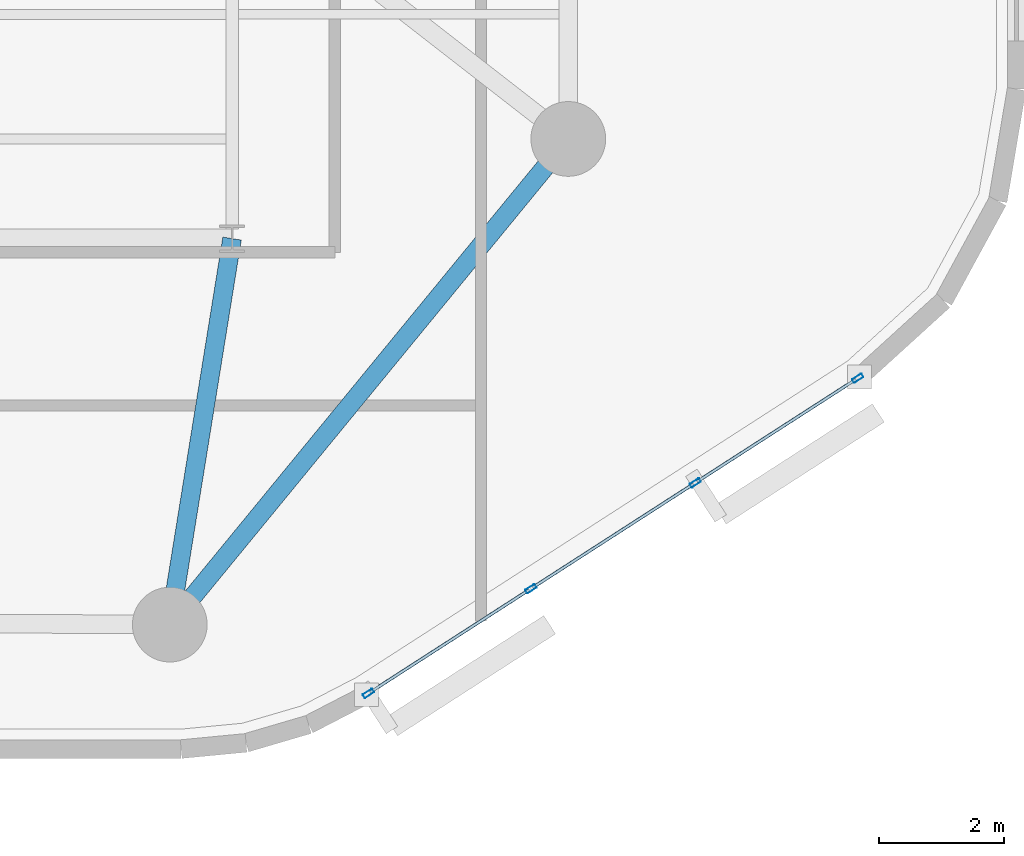
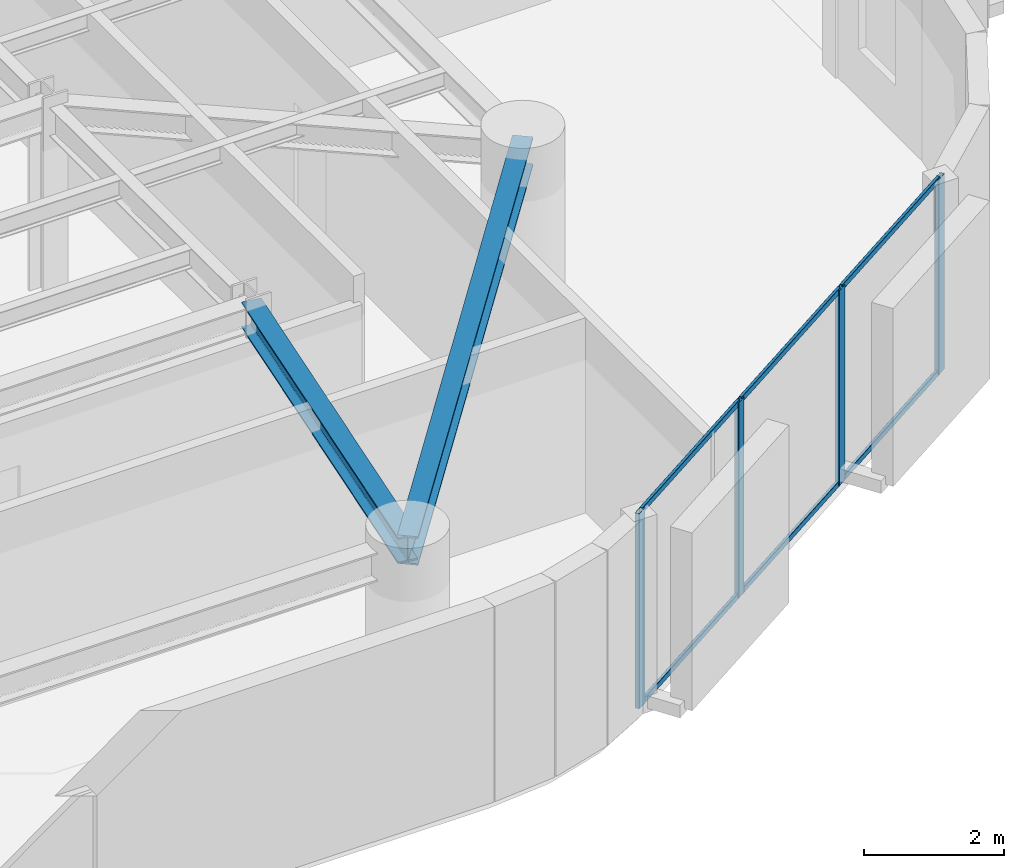
# One storey, part 2 of 16: 10 members, 2 beams, 1 element without a shape of its own.
"""IFC4 building model written with IfcOpenShell, lengths in metres."""

from ifc_helpers import new_model, si_unit, direction, frame, origin, origin_2d, place, context, subcontext, project, spatial, hollow_rectangle, i_section, extrude, material, layer, layer_set, material_profile, profile_set, type_object, element, aggregate, save


model = new_model("IFC4")

# Units and contexts
model_context = context("Model", 3, precision=1e-05, world=origin(), true_north=direction((0.0, 1.0)))
body_context = subcontext(model_context, "Body", "Model", "MODEL_VIEW")
ifc_project = project(units=[si_unit("LENGTHUNIT", "METRE"), si_unit("AREAUNIT", "SQUARE_METRE"), si_unit("VOLUMEUNIT", "CUBIC_METRE"), si_unit("PLANEANGLEUNIT", "RADIAN"), si_unit("MASSUNIT", "GRAM", prefix="KILO")], contexts=[model_context])

# Site, building, storey
site_placement = place(None, origin())
site = spatial("IfcSite", under=ifc_project, at=site_placement, CompositionType="ELEMENT")
building_placement = place(site_placement, origin())
building = spatial("IfcBuilding", under=site, at=building_placement, Name="An Khanh Terracotta Commons", CompositionType="ELEMENT")
storey_placement = place(building_placement, frame((0.0, 0.0, 172.60009765625)))
storey = spatial("IfcBuildingStorey", under=building, at=storey_placement, Name="L45", CompositionType="ELEMENT", Elevation=172.60009765625)

# Beams
ifc_material_1 = material(Name="Steel S355J2", Category="steel")
ifc_material_profile_1 = material_profile(ifc_material_1, i_section(OverallWidth=0.300048828125, OverallDepth=0.449951171875, WebThickness=0.013916015625, FlangeThickness=0.02587890625, FilletRadius=0.027099609375, at=origin_2d()), Name="HEB450")
ifc_profile_set_1 = profile_set([ifc_material_profile_1], Name="Steel S355J2")
beam_type_1 = type_object("IfcBeamType", Name="BM-HEB450", PredefinedType="BEAM", material=ifc_profile_set_1)
beam_1_placement = place(storey_placement, frame((49.39990234375, 8.199951171875, 3.1748046875), z_axis=(0.159233661074, 0.987240923575, 0.0), x_axis=(-0.987240923575, 0.159233661074, 0.0)))
element("IfcBeam", 1, at=beam_1_placement, inside=storey, type_object=beam_type_1, Name="L45 Mega-Column Tie Girder 2", PredefinedType="BEAM", context=body_context, shape_type="SweptSolid", body=[
    extrude(i_section(OverallWidth=0.300048828125, OverallDepth=0.449951171875, WebThickness=0.013916015625, FlangeThickness=0.02587890625, FilletRadius=0.027099609375, at=origin_2d()), origin(), (0.0, 0.0, 1.0), 6.280029296875),
])
ifc_material_profile_2 = material_profile(ifc_material_1, i_section(OverallWidth=0.300048828125, OverallDepth=0.5, WebThickness=0.014404296875, FlangeThickness=0.028076171875, FilletRadius=0.027099609375, at=origin_2d()), Name="HEB500")
ifc_profile_set_2 = profile_set([ifc_material_profile_2], Name="Steel S355J2")
beam_type_2 = type_object("IfcBeamType", Name="BM-HEB500", PredefinedType="BEAM", material=ifc_profile_set_2)
beam_2_placement = place(storey_placement, frame((49.39990234375, 8.199951171875, 3.14990234375), z_axis=(0.634322915223, 0.7730681983, 0.0), x_axis=(-0.7730681983, 0.634322915223, 0.0)))
element("IfcBeam", 2, at=beam_2_placement, inside=storey, type_object=beam_type_2, Name="L45 Perimeter Ring Spandrel 2", PredefinedType="BEAM", context=body_context, shape_type="SweptSolid", body=[
    extrude(i_section(OverallWidth=0.300048828125, OverallDepth=0.5, WebThickness=0.014404296875, FlangeThickness=0.028076171875, FilletRadius=0.027099609375, at=origin_2d()), origin(), (0.0, 0.0, 1.0), 10.08984375),
])

# Curtain wall, members
ifc_material_2 = material(Name="Anodised Aluminium 6063-T6", Category="aluminium")
ifc_layer = layer(ifc_material_2, 0.2099609375, Name="Anodised Aluminium 6063-T6")
ifc_layer_set = layer_set([ifc_layer], Name="Anodised Aluminium 6063-T6")
curtain_wall_type = type_object("IfcCurtainWallType", Name="CW-SYS-03", PredefinedType="USERDEFINED", material=ifc_layer_set)
curtain_wall_placement = place(storey_placement, origin())
curtain_wall = element("IfcCurtainWall", 3, at=curtain_wall_placement, inside=storey, type_object=curtain_wall_type, Name="L45 CW-03 Unitised Curtain Wall CW-L45-08", ObjectType="UNITISED CURTAIN WALL", PredefinedType="USERDEFINED")
ifc_material_profile_3 = material_profile(ifc_material_2, hollow_rectangle(XDim=0.070068359375, YDim=0.179931640625, WallThickness=0.00390625, InnerFilletRadius=0.00390625, OuterFilletRadius=0.008056640625, at=origin_2d()), Name="RHS180x70x4")
ifc_profile_set_3 = profile_set([ifc_material_profile_3], Name="Anodised Aluminium 6063-T6")
member_type_1 = type_object("IfcMemberType", Name="CWM-RHS180x70x4", PredefinedType="MULLION", material=ifc_profile_set_3)
member_1_placement = place(storey_placement, frame((52.58935546875, 7.094970703125, 0.0), z_axis=(0.0, 0.0, 1.0), x_axis=(-0.541497931062, 0.840702081986, 0.0)))
member_1 = element("IfcMember", 4, at=member_1_placement, type_object=member_type_1, Name="CW-03 mullion 1", PredefinedType="MULLION", context=body_context, shape_type="SweptSolid", body=[
    extrude(hollow_rectangle(XDim=0.070068359375, YDim=0.179931640625, WallThickness=0.00390625, InnerFilletRadius=0.00390625, OuterFilletRadius=0.008056640625, at=origin_2d()), origin(), (0.0, 0.0, 1.0), 3.39990234375),
])
member_2_placement = place(storey_placement, frame((55.19921875, 8.77587890625, 0.0), z_axis=(0.0, 0.0, 1.0), x_axis=(-0.541497931062, 0.840702081986, 0.0)))
member_2 = element("IfcMember", 5, at=member_2_placement, type_object=member_type_1, Name="CW-03 mullion 2", PredefinedType="MULLION", context=body_context, shape_type="SweptSolid", body=[
    extrude(hollow_rectangle(XDim=0.070068359375, YDim=0.179931640625, WallThickness=0.00390625, InnerFilletRadius=0.00390625, OuterFilletRadius=0.008056640625, at=origin_2d()), origin(), (0.0, 0.0, 1.0), 3.39990234375),
])
member_3_placement = place(storey_placement, frame((57.838623046875, 10.47607421875, 0.0), z_axis=(0.0, 0.0, 1.0), x_axis=(-0.541497931062, 0.840702081986, 0.0)))
member_3 = element("IfcMember", 6, at=member_3_placement, type_object=member_type_1, Name="CW-03 mullion 3", PredefinedType="MULLION", context=body_context, shape_type="SweptSolid", body=[
    extrude(hollow_rectangle(XDim=0.070068359375, YDim=0.179931640625, WallThickness=0.00390625, InnerFilletRadius=0.00390625, OuterFilletRadius=0.008056640625, at=origin_2d()), origin(), (0.0, 0.0, 1.0), 3.39990234375),
])
member_4_placement = place(storey_placement, frame((60.448486328125, 12.156982421875, 0.0), z_axis=(0.0, 0.0, 1.0), x_axis=(-0.541497931062, 0.840702081986, 0.0)))
member_4 = element("IfcMember", 7, at=member_4_placement, type_object=member_type_1, Name="CW-03 mullion 4", PredefinedType="MULLION", context=body_context, shape_type="SweptSolid", body=[
    extrude(hollow_rectangle(XDim=0.070068359375, YDim=0.179931640625, WallThickness=0.00390625, InnerFilletRadius=0.00390625, OuterFilletRadius=0.008056640625, at=origin_2d()), origin(), (0.0, 0.0, 1.0), 3.39990234375),
])
ifc_material_profile_4 = material_profile(ifc_material_2, hollow_rectangle(XDim=0.050048828125, YDim=0.10009765625, WallThickness=0.003173828125, InnerFilletRadius=0.003173828125, OuterFilletRadius=0.00634765625, at=origin_2d()), Name="RHS100x50x3.2")
ifc_profile_set_4 = profile_set([ifc_material_profile_4], Name="Anodised Aluminium 6063-T6")
member_type_2 = type_object("IfcMemberType", Name="CWT-RHS100x50x3.2", PredefinedType="USERDEFINED", material=ifc_profile_set_4)
member_5_placement = place(storey_placement, frame((52.618896484375, 7.114013671875, 0.02490234375), z_axis=(0.840710223453, 0.541485290826, 0.0), x_axis=(-0.541485290826, 0.840710223453, 0.0)))
member_5 = element("IfcMember", 8, at=member_5_placement, type_object=member_type_2, Name="CW-03 transom 1.1", ObjectType="TRANSOM", PredefinedType="USERDEFINED", context=body_context, shape_type="SweptSolid", body=[
    extrude(hollow_rectangle(XDim=0.050048828125, YDim=0.10009765625, WallThickness=0.003173828125, InnerFilletRadius=0.003173828125, OuterFilletRadius=0.00634765625, at=origin_2d()), origin(), (0.0, 0.0, 1.0), 3.034423828125),
])
member_6_placement = place(storey_placement, frame((52.618896484375, 7.114013671875, 3.375), z_axis=(0.840710223453, 0.541485290826, 0.0), x_axis=(-0.541485290826, 0.840710223453, 0.0)))
member_6 = element("IfcMember", 9, at=member_6_placement, type_object=member_type_2, Name="CW-03 transom 1.2", ObjectType="TRANSOM", PredefinedType="USERDEFINED", context=body_context, shape_type="SweptSolid", body=[
    extrude(hollow_rectangle(XDim=0.050048828125, YDim=0.10009765625, WallThickness=0.003173828125, InnerFilletRadius=0.003173828125, OuterFilletRadius=0.00634765625, at=origin_2d()), origin(), (0.0, 0.0, 1.0), 3.034423828125),
])
member_7_placement = place(storey_placement, frame((55.228759765625, 8.794921875, 0.02490234375), z_axis=(0.840707825526, 0.54148901383, 0.0), x_axis=(-0.54148901383, 0.840707825526, 0.0)))
member_7 = element("IfcMember", 10, at=member_7_placement, type_object=member_type_2, Name="CW-03 transom 2.1", ObjectType="TRANSOM", PredefinedType="USERDEFINED", context=body_context, shape_type="SweptSolid", body=[
    extrude(hollow_rectangle(XDim=0.050048828125, YDim=0.10009765625, WallThickness=0.003173828125, InnerFilletRadius=0.003173828125, OuterFilletRadius=0.00634765625, at=origin_2d()), origin(), (0.0, 0.0, 1.0), 3.069580078125),
])
member_8_placement = place(storey_placement, frame((55.228759765625, 8.794921875, 3.375), z_axis=(0.840707825526, 0.54148901383, 0.0), x_axis=(-0.54148901383, 0.840707825526, 0.0)))
member_8 = element("IfcMember", 11, at=member_8_placement, type_object=member_type_2, Name="CW-03 transom 2.2", ObjectType="TRANSOM", PredefinedType="USERDEFINED", context=body_context, shape_type="SweptSolid", body=[
    extrude(hollow_rectangle(XDim=0.050048828125, YDim=0.10009765625, WallThickness=0.003173828125, InnerFilletRadius=0.003173828125, OuterFilletRadius=0.00634765625, at=origin_2d()), origin(), (0.0, 0.0, 1.0), 3.069580078125),
])
member_9_placement = place(storey_placement, frame((57.8681640625, 10.494873046875, 0.02490234375), z_axis=(0.840673595852, 0.541542154626, 0.0), x_axis=(-0.541542154626, 0.840673595852, 0.0)))
member_9 = element("IfcMember", 12, at=member_9_placement, type_object=member_type_2, Name="CW-03 transom 3.1", ObjectType="TRANSOM", PredefinedType="USERDEFINED", context=body_context, shape_type="SweptSolid", body=[
    extrude(hollow_rectangle(XDim=0.050048828125, YDim=0.10009765625, WallThickness=0.003173828125, InnerFilletRadius=0.003173828125, OuterFilletRadius=0.00634765625, at=origin_2d()), origin(), (0.0, 0.0, 1.0), 3.034423828125),
])
member_10_placement = place(storey_placement, frame((57.8681640625, 10.494873046875, 3.375), z_axis=(0.840673595852, 0.541542154626, 0.0), x_axis=(-0.541542154626, 0.840673595852, 0.0)))
member_10 = element("IfcMember", 13, at=member_10_placement, type_object=member_type_2, Name="CW-03 transom 3.2", ObjectType="TRANSOM", PredefinedType="USERDEFINED", context=body_context, shape_type="SweptSolid", body=[
    extrude(hollow_rectangle(XDim=0.050048828125, YDim=0.10009765625, WallThickness=0.003173828125, InnerFilletRadius=0.003173828125, OuterFilletRadius=0.00634765625, at=origin_2d()), origin(), (0.0, 0.0, 1.0), 3.034423828125),
])
aggregate(curtain_wall, [member_1, member_2, member_3, member_4, member_5, member_6, member_7, member_8, member_9, member_10])

save(model, "model.ifc")
